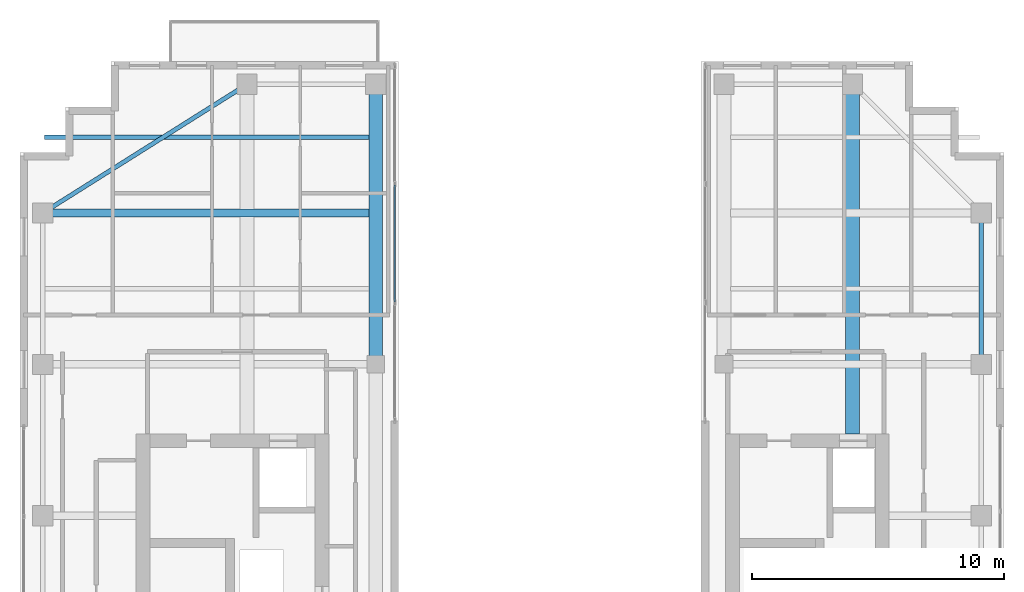
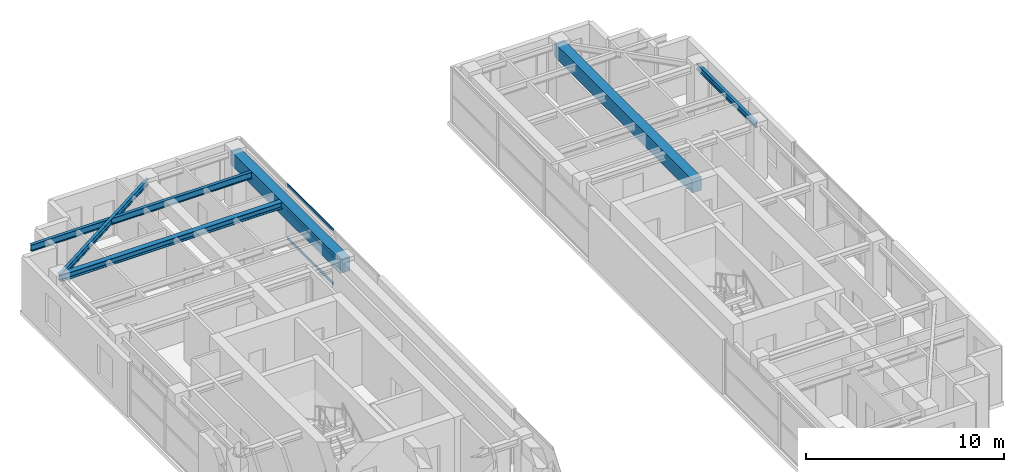
# One storey, part 13 of 22: 6 beams, 3 members, 1 element without a shape of its own.
"""IFC4 building model written with IfcOpenShell, lengths in metres."""

from ifc_helpers import new_model, si_unit, direction, frame, origin, origin_2d, place, context, subcontext, project, spatial, rectangle, hollow_rectangle, i_section, extrude, source, transform, mapped, material, layer, layer_set, material_profile, profile_set, type_object, element, aggregate, save


model = new_model("IFC4")

# Units and contexts
model_context = context("Model", 3, precision=1e-05, world=origin(), true_north=direction((0.0, 1.0)))
body_context = subcontext(model_context, "Body", "Model", "MODEL_VIEW")
ifc_project = project(units=[si_unit("LENGTHUNIT", "METRE"), si_unit("AREAUNIT", "SQUARE_METRE"), si_unit("VOLUMEUNIT", "CUBIC_METRE"), si_unit("PLANEANGLEUNIT", "RADIAN"), si_unit("MASSUNIT", "GRAM", prefix="KILO")], contexts=[model_context])

# Site, building, storey
site_placement = place(None, origin())
site = spatial("IfcSite", under=ifc_project, at=site_placement, CompositionType="ELEMENT")
building_placement = place(site_placement, origin())
building = spatial("IfcBuilding", under=site, at=building_placement, Name="Khoralis Quay Care Tower", CompositionType="ELEMENT")
storey_placement = place(building_placement, frame((0.0, 0.0, 260.10009765625)))
storey = spatial("IfcBuildingStorey", under=building, at=storey_placement, Name="L68", CompositionType="ELEMENT", Elevation=260.10009765625)

# Beams
ifc_material_1 = material(Name="Steel S355", Category="steel")
ifc_material_profile_1 = material_profile(ifc_material_1, i_section(OverallWidth=0.169921875, OverallDepth=0.360107421875, WebThickness=0.008056640625, FlangeThickness=0.0126953125, FilletRadius=0.01806640625, at=origin_2d()), Name="Steel S355")
ifc_profile_set_1 = profile_set([ifc_material_profile_1], Name="Steel S355")
beam_type_1 = type_object("IfcBeamType", Name="BM-IPE360", PredefinedType="SPANDREL", material=ifc_profile_set_1)
shared_shape_1 = source(origin(), body_context, "Body", "SweptSolid", [
    extrude(i_section(OverallWidth=0.169921875, OverallDepth=0.360107421875, WebThickness=0.008056640625, FlangeThickness=0.0126953125, FilletRadius=0.01806640625, at=origin_2d()), origin(), (0.0, 0.0, 1.0), 6.0),
])
beam_1_placement = place(storey_placement, frame((41.10009765625, 30.0, 3.179931640625), z_axis=(0.0, 1.0, 0.0), x_axis=(-1.0, 0.0, 0.0)))
element("IfcBeam", 1, at=beam_1_placement, inside=storey, type_object=beam_type_1, Name="BM-TSP-L68-12", PredefinedType="SPANDREL", context=body_context, shape_type="MappedRepresentation", body=[
    mapped(shared_shape_1, transform((0.0, 0.0, 0.0), scale=1.0)),
])
shared_shape_2 = source(origin(), body_context, "Body", "SweptSolid", [
    extrude(i_section(OverallWidth=0.169921875, OverallDepth=0.360107421875, WebThickness=0.008056640625, FlangeThickness=0.0126953125, FilletRadius=0.01806640625, at=origin_2d()), origin(), (0.0, 0.0, 1.0), 9.572021484375),
])
beam_2_placement = place(storey_placement, frame((12.0, 41.10009765625, 3.179931640625), z_axis=(-0.846231136359, -0.532815975602, 0.0), x_axis=(0.532815975602, -0.846231136359, 0.0)))
element("IfcBeam", 2, at=beam_2_placement, inside=storey, type_object=beam_type_1, Name="BM-TCR-L68-15", PredefinedType="SPANDREL", context=body_context, shape_type="MappedRepresentation", body=[
    mapped(shared_shape_2, transform((0.0, 0.0, 0.0), scale=1.0)),
])
ifc_material_profile_2 = material_profile(ifc_material_1, i_section(OverallWidth=0.300048828125, OverallDepth=0.39990234375, WebThickness=0.013427734375, FlangeThickness=0.02392578125, FilletRadius=0.027099609375, at=origin_2d()), Name="Steel S355")
ifc_profile_set_2 = profile_set([ifc_material_profile_2], Name="Steel S355")
beam_type_2 = type_object("IfcBeamType", Name="BM-HEB400", PredefinedType="BEAM", material=ifc_profile_set_2)
shared_shape_3 = source(origin(), body_context, "Body", "SweptSolid", [
    extrude(i_section(OverallWidth=0.300048828125, OverallDepth=0.39990234375, WebThickness=0.013427734375, FlangeThickness=0.02392578125, FilletRadius=0.027099609375, at=origin_2d()), origin(), (0.0, 0.0, 1.0), 12.93701171875),
])
beam_3_placement = place(storey_placement, frame((3.89990234375, 36.0, 3.159912109375), z_axis=(1.0, 0.0, 0.0), x_axis=(0.0, 1.0, 0.0)))
element("IfcBeam", 3, at=beam_3_placement, inside=storey, type_object=beam_type_2, Name="BM-TGXW-L68-360", PredefinedType="BEAM", context=body_context, shape_type="MappedRepresentation", body=[
    mapped(shared_shape_3, transform((0.0, 0.0, 0.0), scale=1.0)),
])
ifc_material_2 = material(Name="Concrete C50/60", Category="concrete")
ifc_material_profile_3 = material_profile(ifc_material_2, rectangle(XDim=0.550048828125, YDim=0.85009765625, at=origin_2d()), Name="Concrete C50/60")
ifc_profile_set_3 = profile_set([ifc_material_profile_3], Name="Concrete C50/60")
beam_type_3 = type_object("IfcBeamType", Name="BM-RC550X850", PredefinedType="BEAM", material=ifc_profile_set_3)
shared_shape_4 = source(origin(), body_context, "Body", "SweptSolid", [
    extrude(rectangle(XDim=0.550048828125, YDim=0.85009765625, at=origin_2d()), origin(), (0.0, 0.0, 1.0), 13.85205078125),
])
beam_4_placement = place(storey_placement, frame((36.0, 27.248046875, 2.934814453125), z_axis=(0.0, 1.0, 0.0), x_axis=(-1.0, 0.0, 0.0)))
element("IfcBeam", 4, at=beam_4_placement, inside=storey, type_object=beam_type_3, Name="BM-TGYN-L68-360", PredefinedType="BEAM", context=body_context, shape_type="MappedRepresentation", body=[
    mapped(shared_shape_4, transform((0.0, 0.0, 0.0), scale=1.0)),
])
shared_shape_5 = source(origin(), body_context, "Body", "SweptSolid", [
    extrude(rectangle(XDim=0.550048828125, YDim=0.85009765625, at=origin_2d()), origin(), (0.0, 0.0, 1.0), 11.10009765625),
])
beam_5_placement = place(storey_placement, frame((17.10009765625, 30.0, 2.934814453125), z_axis=(0.0, 1.0, 0.0), x_axis=(-1.0, 0.0, 0.0)))
element("IfcBeam", 5, at=beam_5_placement, inside=storey, type_object=beam_type_3, Name="BM-TGYN-L68-171", PredefinedType="BEAM", context=body_context, shape_type="MappedRepresentation", body=[
    mapped(shared_shape_5, transform((0.0, 0.0, 0.0), scale=1.0)),
])
ifc_material_profile_4 = material_profile(ifc_material_1, i_section(OverallWidth=0.177978515625, OverallDepth=0.406982421875, WebThickness=0.0078125, FlangeThickness=0.0126953125, FilletRadius=0.012939453125, at=origin_2d()), Name="Steel S355")
ifc_profile_set_4 = profile_set([ifc_material_profile_4], Name="Steel S355")
beam_type_4 = type_object("IfcBeamType", Name="BM-W410X60", PredefinedType="JOIST", material=ifc_profile_set_4)
shared_shape_6 = source(origin(), body_context, "Body", "SweptSolid", [
    extrude(i_section(OverallWidth=0.177978515625, OverallDepth=0.406982421875, WebThickness=0.0078125, FlangeThickness=0.0126953125, FilletRadius=0.012939453125, at=origin_2d()), origin(), (0.0, 0.0, 1.0), 12.865966796875),
])
beam_6_placement = place(storey_placement, frame((3.970947265625, 39.0, 3.156494140625), z_axis=(1.0, 0.0, 0.0), x_axis=(0.0, 1.0, 0.0)))
element("IfcBeam", 6, at=beam_6_placement, inside=storey, type_object=beam_type_4, Name="BM-TJS-L68-21", PredefinedType="JOIST", context=body_context, shape_type="MappedRepresentation", body=[
    mapped(shared_shape_6, transform((0.0, 0.0, 0.0), scale=1.0)),
])

# Curtain wall, members
ifc_material_3 = material(Name="Pale anodised aluminium", Category="aluminium")
ifc_layer = layer(ifc_material_3, 0.18994140625)
ifc_layer_set = layer_set([ifc_layer], Name="Pale anodised aluminium")
curtain_wall_type = type_object("IfcCurtainWallType", Name="CW-SYS-PORTAL", PredefinedType="NOTDEFINED", material=ifc_layer_set)
curtain_wall_placement = place(storey_placement, origin())
curtain_wall = element("IfcCurtainWall", 7, at=curtain_wall_placement, inside=storey, type_object=curtain_wall_type, Name="L68 Unitised Curtain Wall CW-VP-L68-P1-N", PredefinedType="NOTDEFINED")
ifc_material_profile_5 = material_profile(ifc_material_3, hollow_rectangle(XDim=0.06005859375, YDim=0.139892578125, WallThickness=0.00390625, at=origin_2d()), Name="Pale anodised aluminium")
ifc_profile_set_5 = profile_set([ifc_material_profile_5], Name="Pale anodised aluminium")
member_type = type_object("IfcMemberType", Name="CW-TRN-140", PredefinedType="USERDEFINED", material=ifc_profile_set_5)
shared_shape_7 = source(origin(), body_context, "Body", "SweptSolid", [
    extrude(hollow_rectangle(XDim=0.06005859375, YDim=0.139892578125, WallThickness=0.00390625, at=origin_2d()), origin(), (0.0, 0.0, 1.0), 4.64013671875),
])
member_1_placement = place(storey_placement, frame((17.85009765625, 32.47998046875, 0.02978515625), z_axis=(0.0, 1.0, 0.0), x_axis=(-1.0, 0.0, 0.0)))
member_1 = element("IfcMember", 8, at=member_1_placement, type_object=member_type, Name="CW4 transom 2.1", ObjectType="TRANSOM", PredefinedType="USERDEFINED", context=body_context, shape_type="MappedRepresentation", body=[
    mapped(shared_shape_7, transform((0.0, 0.0, 0.0), scale=1.0)),
])
member_2_placement = place(storey_placement, frame((17.85009765625, 32.47998046875, 1.679931640625), z_axis=(0.0, 1.0, 0.0), x_axis=(-1.0, 0.0, 0.0)))
member_2 = element("IfcMember", 9, at=member_2_placement, type_object=member_type, Name="CW4 transom 2.2", ObjectType="TRANSOM", PredefinedType="USERDEFINED", context=body_context, shape_type="MappedRepresentation", body=[
    mapped(shared_shape_7, transform((0.0, 0.0, 0.0), scale=1.0)),
])
member_3_placement = place(storey_placement, frame((17.85009765625, 32.47998046875, 3.329833984375), z_axis=(0.0, 1.0, 0.0), x_axis=(-1.0, 0.0, 0.0)))
member_3 = element("IfcMember", 10, at=member_3_placement, type_object=member_type, Name="CW4 transom 2.3", ObjectType="TRANSOM", PredefinedType="USERDEFINED", context=body_context, shape_type="MappedRepresentation", body=[
    mapped(shared_shape_7, transform((0.0, 0.0, 0.0), scale=1.0)),
])
aggregate(curtain_wall, [member_1, member_2, member_3])

save(model, "model.ifc")
